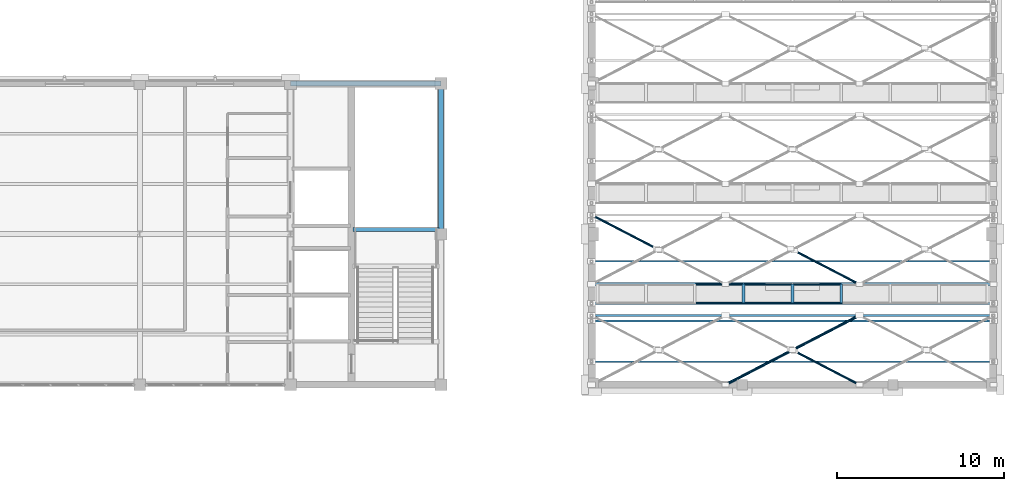
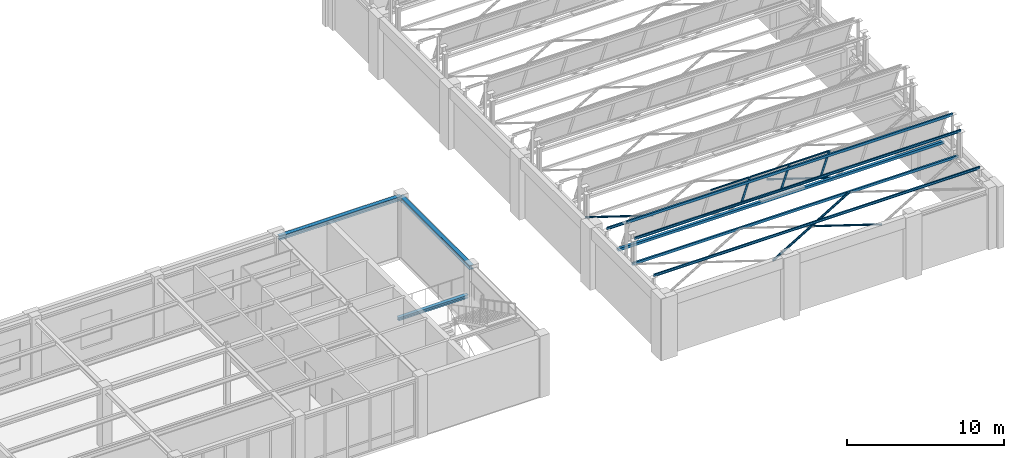
# One storey, part 51 of 98: 16 members, 6 beams, 1 element without a shape of its own.
"""IFC4 building model written with IfcOpenShell, lengths in metres."""

from ifc_helpers import new_model, si_unit, direction, frame, origin, origin_2d, place, context, subcontext, project, spatial, hollow_rectangle, hollow_circle, i_section, extrude, material, material_profile, profile_set, type_object, element, aggregate, save


model = new_model("IFC4")

# Units and contexts
model_context = context("Model", 3, precision=1e-05, world=origin(), true_north=direction((0.0, 1.0)))
body_context = subcontext(model_context, "Body", "Model", "MODEL_VIEW")
ifc_project = project(units=[si_unit("LENGTHUNIT", "METRE"), si_unit("AREAUNIT", "SQUARE_METRE"), si_unit("VOLUMEUNIT", "CUBIC_METRE"), si_unit("PLANEANGLEUNIT", "RADIAN"), si_unit("MASSUNIT", "GRAM", prefix="KILO")], contexts=[model_context])

# Site, building, storey
site_placement = place(None, origin())
site = spatial("IfcSite", under=ifc_project, at=site_placement, CompositionType="ELEMENT")
building_placement = place(site_placement, origin())
building = spatial("IfcBuilding", under=site, at=building_placement, Name="Lykobir Media Centre", CompositionType="ELEMENT")
storey_placement = place(building_placement, frame((0.0, 0.0, 10.199951171875)))
storey = spatial("IfcBuildingStorey", under=building, at=storey_placement, Name="L02", CompositionType="ELEMENT", Elevation=10.199951171875)

# Beams
ifc_material_1 = material(Name="Steel S355", Category="steel")
ifc_material_profile_1 = material_profile(ifc_material_1, i_section(OverallWidth=0.300048828125, OverallDepth=0.330078125, WebThickness=0.009521484375, FlangeThickness=0.0166015625, at=origin_2d()), Name="HEA 340")
ifc_profile_set_1 = profile_set([ifc_material_profile_1], Name="Steel S355")
beam_type_1 = type_object("IfcBeamType", Name="BM-HEA340", PredefinedType="BEAM", material=ifc_profile_set_1)
beam_1_placement = place(storey_placement, frame((135.0, 81.0, 4.39501953125), z_axis=(0.0, 1.0, 0.0), x_axis=(-1.0, 0.0, 0.0)))
element("IfcBeam", 1, at=beam_1_placement, inside=storey, type_object=beam_type_1, Name="Beam BM-L02-1350-0810-1350-0900-1460", PredefinedType="BEAM", context=body_context, shape_type="SweptSolid", body=[
    extrude(i_section(OverallWidth=0.300048828125, OverallDepth=0.330078125, WebThickness=0.009521484375, FlangeThickness=0.0166015625, at=origin_2d()), origin(), (0.0, 0.0, 1.0), 9.0),
])
ifc_material_profile_2 = material_profile(ifc_material_1, i_section(OverallWidth=0.260009765625, OverallDepth=0.25, WebThickness=0.007568359375, FlangeThickness=0.012451171875, at=origin_2d()), Name="HEA 260")
ifc_profile_set_2 = profile_set([ifc_material_profile_2], Name="Steel S355")
beam_type_2 = type_object("IfcBeamType", Name="BM-ST260", PredefinedType="BEAM", material=ifc_profile_set_2)
beam_2_placement = place(storey_placement, frame((129.72998046875, 81.280029296875, 2.080078125), z_axis=(1.0, 0.0, 0.0), x_axis=(0.0, 1.0, 0.0)))
element("IfcBeam", 2, at=beam_2_placement, inside=storey, type_object=beam_type_2, Name="ST-4 L02 half-landing support beam", PredefinedType="BEAM", context=body_context, shape_type="SweptSolid", body=[
    extrude(i_section(OverallWidth=0.260009765625, OverallDepth=0.25, WebThickness=0.007568359375, FlangeThickness=0.012451171875, at=origin_2d()), origin(), (0.0, 0.0, 1.0), 5.14013671875),
])

# Members
ifc_material_profile_3 = material_profile(ifc_material_1, hollow_circle(Radius=0.06982421875, WallThickness=0.008056640625, at=origin_2d()), Name="CHS 139.7x8.0")
ifc_profile_set_3 = profile_set([ifc_material_profile_3], Name="Steel S355")
member_type_1 = type_object("IfcMemberType", Name="BR-CHS140", PredefinedType="BRACE", material=ifc_profile_set_3)
member_1_placement = place(storey_placement, frame((160.0, 72.0, 4.43994140625), z_axis=(-0.887879780504, 0.460075532247, 0.0), x_axis=(-0.460075532247, -0.887879780504, 0.0)))
element("IfcMember", 3, at=member_1_placement, inside=storey, type_object=member_type_1, Name="Diagonal brace MEM2-L02-1600-0720-0146-1561-0740-0292", PredefinedType="BRACE", context=body_context, shape_type="SweptSolid", body=[
    extrude(hollow_circle(Radius=0.06982421875, WallThickness=0.008056640625, at=origin_2d()), origin(), (0.0, 0.0, 1.0), 4.365234375),
])
member_2_placement = place(storey_placement, frame((147.875732421875, 80.136962890625, 4.43994140625), z_axis=(-0.88790262671, 0.460031439666, 0.0), x_axis=(-0.460031439666, -0.88790262671, 0.0)))
element("IfcMember", 4, at=member_2_placement, inside=storey, type_object=member_type_1, Name="Diagonal brace MEM2-L02-1479-0801-0146-1440-0821-0310", PredefinedType="BRACE", context=body_context, shape_type="SweptSolid", body=[
    extrude(hollow_circle(Radius=0.06982421875, WallThickness=0.008056640625, at=origin_2d()), origin(), (0.0, 0.0, 1.0), 4.364990234375),
])
member_3_placement = place(storey_placement, frame((160.0, 78.0, 4.43994140625), z_axis=(-0.887879780504, 0.460075532247, 0.0), x_axis=(-0.460075532247, -0.887879780504, 0.0)))
element("IfcMember", 5, at=member_3_placement, inside=storey, type_object=member_type_1, Name="Diagonal brace MEM2-L02-1600-0780-0146-1561-0800-0312", PredefinedType="BRACE", context=body_context, shape_type="SweptSolid", body=[
    extrude(hollow_circle(Radius=0.06982421875, WallThickness=0.008056640625, at=origin_2d()), origin(), (0.0, 0.0, 1.0), 4.365234375),
])
ifc_material_profile_4 = material_profile(ifc_material_1, hollow_circle(Radius=0.084228515625, WallThickness=0.010009765625, at=origin_2d()), Name="CHS 168.3x10.0")
ifc_profile_set_4 = profile_set([ifc_material_profile_4], Name="Steel S355")
member_type_2 = type_object("IfcMemberType", Name="BR-CHS168", PredefinedType="BRACE", material=ifc_profile_set_4)
member_4_placement = place(storey_placement, frame((152.0, 72.0, 4.43994140625), z_axis=(0.887896386773, 0.460043483113, 0.0), x_axis=(-0.460043483113, 0.887896386773, 0.0)))
element("IfcMember", 6, at=member_4_placement, inside=storey, type_object=member_type_2, Name="Diagonal brace MEM2-L02-1520-0720-0146-1600-0761-0291", PredefinedType="BRACE", context=body_context, shape_type="SweptSolid", body=[
    extrude(hollow_circle(Radius=0.084228515625, WallThickness=0.010009765625, at=origin_2d()), origin(), (0.0, 0.0, 1.0), 9.010009765625),
])

# Curtain wall, members
ifc_material_2 = material(Name="Anodized Aluminium AW-6060", Category="aluminium")
curtain_wall_type = type_object("IfcCurtainWallType", Name="CW-NL-V2", PredefinedType="NOTDEFINED", material=ifc_material_2)
curtain_wall_placement = place(storey_placement, origin())
curtain_wall = element("IfcCurtainWall", 7, at=curtain_wall_placement, inside=storey, type_object=curtain_wall_type, Name="Curtain wall CW-NL-V2-01", PredefinedType="NOTDEFINED")
ifc_material_profile_5 = material_profile(ifc_material_2, hollow_rectangle(XDim=0.070068359375, YDim=0.1650390625, WallThickness=0.00390625, at=origin_2d()), Name="ALU MULLION 70x165")
ifc_profile_set_5 = profile_set([ifc_material_profile_5], Name="Anodized Aluminium AW-6060")
member_type_3 = type_object("IfcMemberType", Name="CWM-165", PredefinedType="MULLION", material=ifc_profile_set_5)
member_5_placement = place(storey_placement, frame((153.080078125, 78.0, 4.800048828125), z_axis=(0.0, -0.374653582974, 0.927164868168), x_axis=(0.0, 0.927164868168, 0.374653582974)))
member_5 = element("IfcMember", 8, at=member_5_placement, type_object=member_type_3, Name="CW-NL-V2-01 mullion 4", PredefinedType="MULLION", context=body_context, shape_type="SweptSolid", body=[
    extrude(hollow_rectangle(XDim=0.070068359375, YDim=0.1650390625, WallThickness=0.00390625, at=origin_2d()), origin(), (0.0, 0.0, 1.0), 3.029541015625),
])
member_6_placement = place(storey_placement, frame((156.0, 78.0, 4.800048828125), z_axis=(0.0, -0.374653582974, 0.927164868168), x_axis=(0.0, 0.927164868168, 0.374653582974)))
member_6 = element("IfcMember", 9, at=member_6_placement, type_object=member_type_3, Name="CW-NL-V2-01 mullion 5", PredefinedType="MULLION", context=body_context, shape_type="SweptSolid", body=[
    extrude(hollow_rectangle(XDim=0.070068359375, YDim=0.1650390625, WallThickness=0.00390625, at=origin_2d()), origin(), (0.0, 0.0, 1.0), 3.029541015625),
])
member_7_placement = place(storey_placement, frame((158.919921875, 78.0, 4.800048828125), z_axis=(0.0, -0.374653582974, 0.927164868168), x_axis=(0.0, 0.927164868168, 0.374653582974)))
member_7 = element("IfcMember", 10, at=member_7_placement, type_object=member_type_3, Name="CW-NL-V2-01 mullion 6", PredefinedType="MULLION", context=body_context, shape_type="SweptSolid", body=[
    extrude(hollow_rectangle(XDim=0.070068359375, YDim=0.1650390625, WallThickness=0.00390625, at=origin_2d()), origin(), (0.0, 0.0, 1.0), 3.029541015625),
])
ifc_material_profile_6 = material_profile(ifc_material_2, hollow_rectangle(XDim=0.070068359375, YDim=0.135009765625, WallThickness=0.00341796875, at=origin_2d()), Name="ALU TRANSOM 70x135")
ifc_profile_set_6 = profile_set([ifc_material_profile_6], Name="Anodized Aluminium AW-6060")
member_type_4 = type_object("IfcMemberType", Name="CWT-135", PredefinedType="USERDEFINED", material=ifc_profile_set_6)
member_8_placement = place(storey_placement, frame((150.195068359375, 77.98681640625, 4.83251953125), z_axis=(1.0, 0.0, 0.0), x_axis=(0.0, 0.927183854567, 0.374606593416)))
member_8 = element("IfcMember", 11, at=member_8_placement, type_object=member_type_4, Name="CW-NL-V2-01 transom 3.1", ObjectType="TRANSOM", PredefinedType="USERDEFINED", context=body_context, shape_type="SweptSolid", body=[
    extrude(hollow_rectangle(XDim=0.070068359375, YDim=0.135009765625, WallThickness=0.00341796875, at=origin_2d()), origin(), (0.0, 0.0, 1.0), 2.849853515625),
])
member_9_placement = place(storey_placement, frame((150.195068359375, 76.878173828125, 7.57666015625), z_axis=(1.0, 0.0, 0.0), x_axis=(0.0, 0.927183854567, 0.374606593416)))
member_9 = element("IfcMember", 12, at=member_9_placement, type_object=member_type_4, Name="CW-NL-V2-01 transom 3.2", ObjectType="TRANSOM", PredefinedType="USERDEFINED", context=body_context, shape_type="SweptSolid", body=[
    extrude(hollow_rectangle(XDim=0.070068359375, YDim=0.135009765625, WallThickness=0.00341796875, at=origin_2d()), origin(), (0.0, 0.0, 1.0), 2.849853515625),
])
member_10_placement = place(storey_placement, frame((153.114990234375, 77.98681640625, 4.83251953125), z_axis=(1.0, 0.0, 0.0), x_axis=(0.0, 0.927183854567, 0.374606593416)))
member_10 = element("IfcMember", 13, at=member_10_placement, type_object=member_type_4, Name="CW-NL-V2-01 transom 4.1", ObjectType="TRANSOM", PredefinedType="USERDEFINED", context=body_context, shape_type="SweptSolid", body=[
    extrude(hollow_rectangle(XDim=0.070068359375, YDim=0.135009765625, WallThickness=0.00341796875, at=origin_2d()), origin(), (0.0, 0.0, 1.0), 2.85009765625),
])
member_11_placement = place(storey_placement, frame((153.114990234375, 76.878173828125, 7.57666015625), z_axis=(1.0, 0.0, 0.0), x_axis=(0.0, 0.927183854567, 0.374606593416)))
member_11 = element("IfcMember", 14, at=member_11_placement, type_object=member_type_4, Name="CW-NL-V2-01 transom 4.2", ObjectType="TRANSOM", PredefinedType="USERDEFINED", context=body_context, shape_type="SweptSolid", body=[
    extrude(hollow_rectangle(XDim=0.070068359375, YDim=0.135009765625, WallThickness=0.00341796875, at=origin_2d()), origin(), (0.0, 0.0, 1.0), 2.85009765625),
])
member_12_placement = place(storey_placement, frame((156.034912109375, 77.98681640625, 4.83251953125), z_axis=(1.0, 0.0, 0.0), x_axis=(0.0, 0.927183854567, 0.374606593416)))
member_12 = element("IfcMember", 15, at=member_12_placement, type_object=member_type_4, Name="CW-NL-V2-01 transom 5.1", ObjectType="TRANSOM", PredefinedType="USERDEFINED", context=body_context, shape_type="SweptSolid", body=[
    extrude(hollow_rectangle(XDim=0.070068359375, YDim=0.135009765625, WallThickness=0.00341796875, at=origin_2d()), origin(), (0.0, 0.0, 1.0), 2.85009765625),
])
member_13_placement = place(storey_placement, frame((156.034912109375, 76.878173828125, 7.57666015625), z_axis=(1.0, 0.0, 0.0), x_axis=(0.0, 0.927183854567, 0.374606593416)))
member_13 = element("IfcMember", 16, at=member_13_placement, type_object=member_type_4, Name="CW-NL-V2-01 transom 5.2", ObjectType="TRANSOM", PredefinedType="USERDEFINED", context=body_context, shape_type="SweptSolid", body=[
    extrude(hollow_rectangle(XDim=0.070068359375, YDim=0.135009765625, WallThickness=0.00341796875, at=origin_2d()), origin(), (0.0, 0.0, 1.0), 2.85009765625),
])
aggregate(curtain_wall, [member_5, member_6, member_7, member_8, member_9, member_10, member_11, member_12, member_13])

# Beams
ifc_material_profile_7 = material_profile(ifc_material_1, i_section(OverallWidth=0.10009765625, OverallDepth=0.199951171875, WebThickness=0.005615234375, FlangeThickness=0.008544921875, at=origin_2d()), Name="IPE 200")
ifc_profile_set_7 = profile_set([ifc_material_profile_7], Name="Steel S355")
beam_type_3 = type_object("IfcBeamType", Name="PR-IPE200", PredefinedType="JOIST", material=ifc_profile_set_7)
for number, where, z_axis, x_axis, name in (
    (17, (144.0, 73.373291015625, 5.23046875), (1.0, 0.0, 0.0), (0.0, 1.0, 0.0), "Beam BM-L02-1440-0734-1680-0734-1543"),
    (18, (144.0, 75.805908203125, 6.634765625), (1.0, 0.0, 0.0), (0.0, 1.0, 0.0), "Beam BM-L02-1440-0758-1680-0758-1683"),
    (19, (144.0, 79.373291015625, 5.23046875), (1.0, 0.0, 0.0), (0.0, 1.0, 0.0), "Beam BM-L02-1440-0794-1680-0794-1543"),
):
    element("IfcBeam", number, at=place(storey_placement, frame(where, z_axis=z_axis, x_axis=x_axis)), inside=storey, type_object=beam_type_3, Name=name, PredefinedType="JOIST", context=body_context, shape_type="SweptSolid", body=[
        extrude(i_section(OverallWidth=0.10009765625, OverallDepth=0.199951171875, WebThickness=0.005615234375, FlangeThickness=0.008544921875, at=origin_2d()), origin(), (0.0, 0.0, 1.0), 24.0),
    ])
ifc_material_profile_8 = material_profile(ifc_material_1, i_section(OverallWidth=0.300048828125, OverallDepth=0.31005859375, WebThickness=0.009033203125, FlangeThickness=0.015380859375, at=origin_2d()), Name="HEA 320")
ifc_profile_set_8 = profile_set([ifc_material_profile_8], Name="Steel S355")
beam_type_4 = type_object("IfcBeamType", Name="SP-HEA320", PredefinedType="SPANDREL", material=ifc_profile_set_8)
beam_3_placement = place(storey_placement, frame((126.0, 90.0, 4.405029296875), z_axis=(1.0, 0.0, 0.0), x_axis=(0.0, 1.0, 0.0)))
element("IfcBeam", 20, at=beam_3_placement, inside=storey, type_object=beam_type_4, Name="Beam BM-L02-1260-0900-1350-0900-1460", PredefinedType="SPANDREL", context=body_context, shape_type="SweptSolid", body=[
    extrude(i_section(OverallWidth=0.300048828125, OverallDepth=0.31005859375, WebThickness=0.009033203125, FlangeThickness=0.015380859375, at=origin_2d()), origin(), (0.0, 0.0, 1.0), 9.0),
])

# Members
ifc_material_profile_9 = material_profile(ifc_material_1, hollow_rectangle(XDim=0.1201171875, YDim=0.199951171875, WallThickness=0.010009765625, at=origin_2d()), Name="RHS 200x120x10")
ifc_profile_set_9 = profile_set([ifc_material_profile_9], Name="Steel S355")
member_type_5 = type_object("IfcMemberType", Name="TC-RHS200", PredefinedType="CHORD", material=ifc_profile_set_9)
for number, where, z_axis, x_axis, name in (
    (21, (144.0, 76.864990234375, 7.259033203125), (1.0, 0.0, 0.0), (0.0, 1.0, 0.0), "Truss chord MEM2-L02-1440-0769-0175-1680-0769-0286"),
    (22, (144.0, 76.14501953125, 4.43994140625), (1.0, 0.0, 0.0), (0.0, 1.0, 0.0), "Truss chord MEM2-L02-1440-0761-0146-1680-0761-0287"),
):
    element("IfcMember", number, at=place(storey_placement, frame(where, z_axis=z_axis, x_axis=x_axis)), inside=storey, type_object=member_type_5, Name=name, PredefinedType="CHORD", context=body_context, shape_type="SweptSolid", body=[
        extrude(hollow_rectangle(XDim=0.1201171875, YDim=0.199951171875, WallThickness=0.010009765625, at=origin_2d()), origin(), (0.0, 0.0, 1.0), 24.0),
    ])
ifc_material_profile_10 = material_profile(ifc_material_1, hollow_rectangle(XDim=0.199951171875, YDim=0.199951171875, WallThickness=0.010009765625, at=origin_2d()), Name="SHS 200x200x10")
ifc_profile_set_10 = profile_set([ifc_material_profile_10], Name="Steel S355")
member_type_6 = type_object("IfcMemberType", Name="TC-SHS200", PredefinedType="CHORD", material=ifc_profile_set_10)
member_14_placement = place(storey_placement, frame((144.0, 78.0, 4.43994140625), z_axis=(1.0, 0.0, 0.0), x_axis=(0.0, 1.0, 0.0)))
element("IfcMember", 23, at=member_14_placement, inside=storey, type_object=member_type_6, Name="Truss chord MEM2-L02-1440-0780-0146-1680-0780-0301", PredefinedType="CHORD", context=body_context, shape_type="SweptSolid", body=[
    extrude(hollow_rectangle(XDim=0.199951171875, YDim=0.199951171875, WallThickness=0.010009765625, at=origin_2d()), origin(), (0.0, 0.0, 1.0), 24.0),
])

save(model, "model.ifc")
